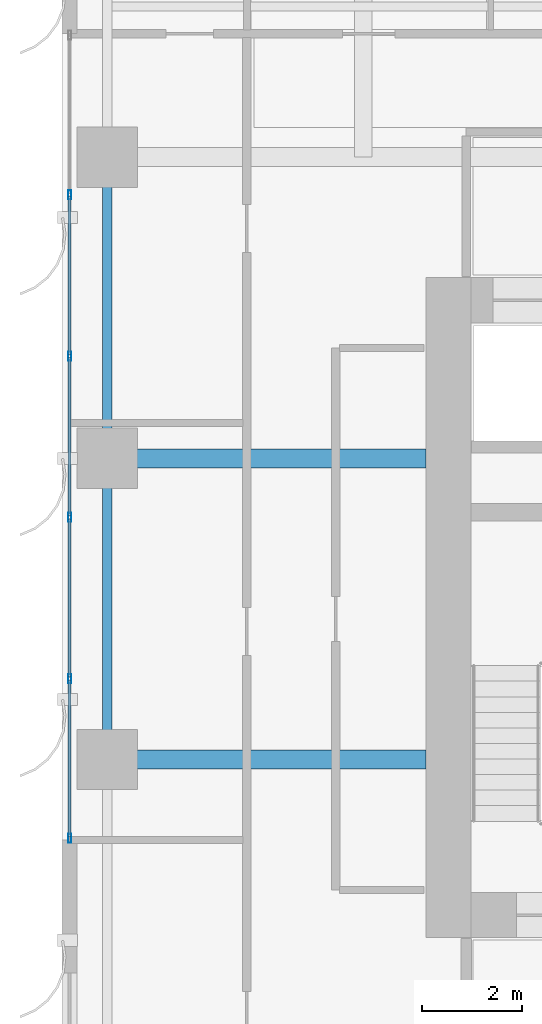
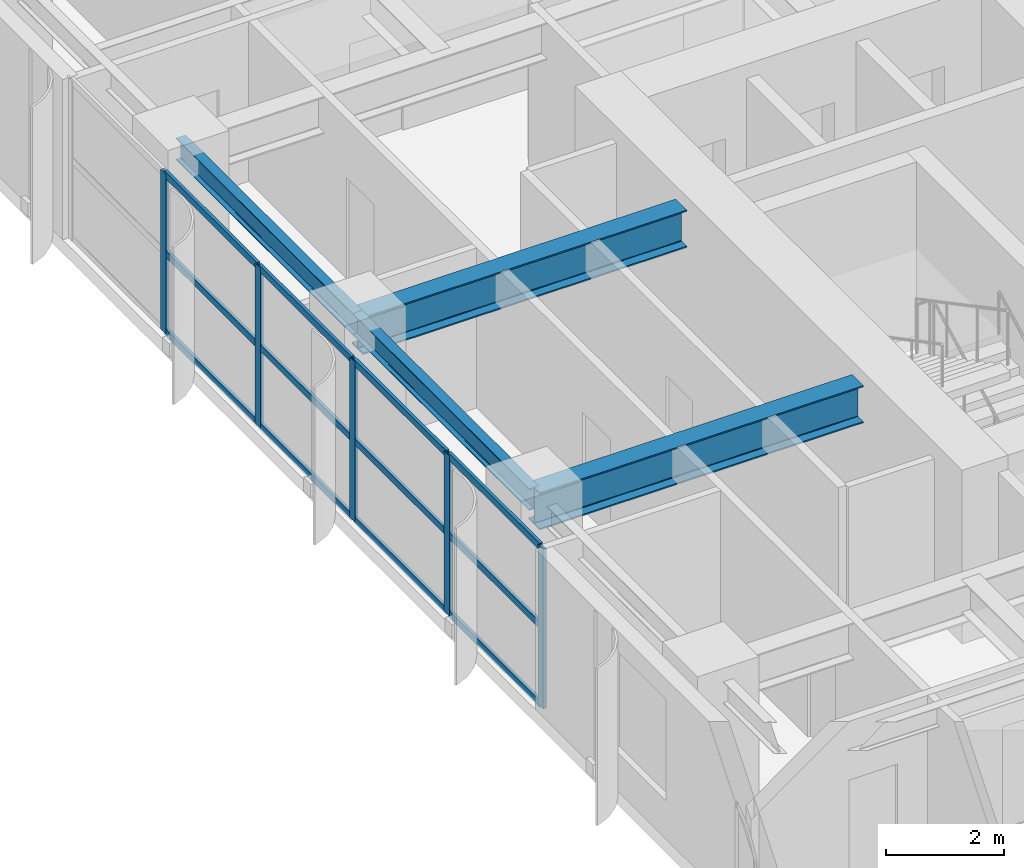
# One storey, part 5 of 23: 17 members, 4 beams, 1 element without a shape of its own.
"""IFC4 building model written with IfcOpenShell, lengths in metres."""

from ifc_helpers import new_model, si_unit, direction, frame, origin, origin_2d, place, context, subcontext, project, spatial, hollow_rectangle, i_section, extrude, source, transform, mapped, material, layer, layer_set, material_profile, profile_set, type_object, element, aggregate, save


model = new_model("IFC4")

# Units and contexts
model_context = context("Model", 3, precision=1e-05, world=origin(), true_north=direction((0.0, 1.0)))
body_context = subcontext(model_context, "Body", "Model", "MODEL_VIEW")
ifc_project = project(units=[si_unit("LENGTHUNIT", "METRE"), si_unit("AREAUNIT", "SQUARE_METRE"), si_unit("VOLUMEUNIT", "CUBIC_METRE"), si_unit("PLANEANGLEUNIT", "RADIAN"), si_unit("MASSUNIT", "GRAM", prefix="KILO")], contexts=[model_context])

# Site, building, storey
site_placement = place(None, origin())
site = spatial("IfcSite", under=ifc_project, at=site_placement, CompositionType="ELEMENT")
building_placement = place(site_placement, origin())
building = spatial("IfcBuilding", under=site, at=building_placement, Name="Khoralis Quay Care Tower", CompositionType="ELEMENT")
storey_placement = place(building_placement, frame((0.0, 0.0, 36.89990234375)))
storey = spatial("IfcBuildingStorey", under=building, at=storey_placement, Name="L09", CompositionType="ELEMENT", Elevation=36.89990234375)

# Beams
ifc_material_1 = material(Name="Steel S355", Category="steel")
ifc_material_profile_1 = material_profile(ifc_material_1, i_section(OverallWidth=0.18994140625, OverallDepth=0.449951171875, WebThickness=0.009521484375, FlangeThickness=0.0146484375, FilletRadius=0.02099609375, at=origin_2d()), Name="Steel S355")
ifc_profile_set_1 = profile_set([ifc_material_profile_1], Name="Steel S355")
beam_type_1 = type_object("IfcBeamType", Name="BM-IPE450", PredefinedType="SPANDREL", material=ifc_profile_set_1)
shared_shape_1 = source(origin(), body_context, "Body", "SweptSolid", [
    extrude(i_section(OverallWidth=0.18994140625, OverallDepth=0.449951171875, WebThickness=0.009521484375, FlangeThickness=0.0146484375, FilletRadius=0.02099609375, at=origin_2d()), origin(), (0.0, 0.0, 1.0), 6.0),
])
for number, where, z_axis, x_axis, name in (
    (1, (0.89990234375, 18.0, 3.09521484375), (0.0, 1.0, 0.0), (-1.0, 0.0, 0.0), "BM-TSP-L09-15"),
    (2, (0.89990234375, 24.0, 3.09521484375), (0.0, 1.0, 0.0), (-1.0, 0.0, 0.0), "BM-TSP-L09-16"),
):
    element("IfcBeam", number, at=place(storey_placement, frame(where, z_axis=z_axis, x_axis=x_axis)), inside=storey, type_object=beam_type_1, Name=name, PredefinedType="SPANDREL", context=body_context, shape_type="MappedRepresentation", body=[
        mapped(shared_shape_1, transform((0.0, 0.0, 0.0), scale=1.0)),
    ])
ifc_material_profile_2 = material_profile(ifc_material_1, i_section(OverallWidth=0.381103515625, OverallDepth=0.77294921875, WebThickness=0.0166015625, FlangeThickness=0.027587890625, FilletRadius=0.02197265625, at=origin_2d()), Name="Steel S355")
ifc_profile_set_2 = profile_set([ifc_material_profile_2], Name="Steel S355")
beam_type_2 = type_object("IfcBeamType", Name="BM-W760X257", PredefinedType="BEAM", material=ifc_profile_set_2)
shared_shape_2 = source(origin(), body_context, "Body", "SweptSolid", [
    extrude(i_section(OverallWidth=0.381103515625, OverallDepth=0.77294921875, WebThickness=0.0166015625, FlangeThickness=0.027587890625, FilletRadius=0.02197265625, at=origin_2d()), origin(), (0.0, 0.0, 1.0), 6.35205078125),
])
for number, where, z_axis, x_axis, name in (
    (3, (0.89990234375, 18.0, 2.93359375), (1.0, 0.0, 0.0), (0.0, 1.0, 0.0), "BM-TGXW-L09-180"),
    (4, (0.89990234375, 24.0, 2.93359375), (1.0, 0.0, 0.0), (0.0, 1.0, 0.0), "BM-TGXW-L09-240"),
):
    element("IfcBeam", number, at=place(storey_placement, frame(where, z_axis=z_axis, x_axis=x_axis)), inside=storey, type_object=beam_type_2, Name=name, PredefinedType="BEAM", context=body_context, shape_type="MappedRepresentation", body=[
        mapped(shared_shape_2, transform((0.0, 0.0, 0.0), scale=1.0)),
    ])

# Curtain wall, members
ifc_material_2 = material(Name="Pale anodised aluminium", Category="aluminium")
ifc_layer = layer(ifc_material_2, 0.179931640625)
ifc_layer_set = layer_set([ifc_layer], Name="Pale anodised aluminium")
curtain_wall_type = type_object("IfcCurtainWallType", Name="CW-SYS-Z1", PredefinedType="NOTDEFINED", material=ifc_layer_set)
curtain_wall_placement = place(storey_placement, origin())
curtain_wall = element("IfcCurtainWall", 5, at=curtain_wall_placement, inside=storey, type_object=curtain_wall_type, Name="L09 Unitised Curtain Wall CW-L09-P1-E15", PredefinedType="NOTDEFINED")
ifc_material_profile_3 = material_profile(ifc_material_2, hollow_rectangle(XDim=0.06494140625, YDim=0.179931640625, WallThickness=0.00390625, at=origin_2d()), Name="Pale anodised aluminium")
ifc_profile_set_3 = profile_set([ifc_material_profile_3], Name="Pale anodised aluminium")
member_type_1 = type_object("IfcMemberType", Name="CW-MUL-180", PredefinedType="MULLION", material=ifc_profile_set_3)
shared_shape_3 = source(origin(), body_context, "Body", "SweptSolid", [
    extrude(hollow_rectangle(XDim=0.06494140625, YDim=0.179931640625, WallThickness=0.00390625, at=origin_2d()), origin(), (0.0, 0.0, 1.0), 3.320068359375),
])
member_1_placement = place(storey_placement, frame((0.14990234375, 29.248046875, 0.0), z_axis=(0.0, 0.0, 1.0), x_axis=(1.0, 0.0, 0.0)))
member_1 = element("IfcMember", 6, at=member_1_placement, type_object=member_type_1, Name="CW1 mullion 2", PredefinedType="MULLION", context=body_context, shape_type="MappedRepresentation", body=[
    mapped(shared_shape_3, transform((0.0, 0.0, 0.0), scale=1.0)),
])
member_2_placement = place(storey_placement, frame((0.14990234375, 26.035888671875, 0.0), z_axis=(0.0, 0.0, 1.0), x_axis=(1.0, 0.0, 0.0)))
member_2 = element("IfcMember", 7, at=member_2_placement, type_object=member_type_1, Name="CW1 mullion 3", PredefinedType="MULLION", context=body_context, shape_type="MappedRepresentation", body=[
    mapped(shared_shape_3, transform((0.0, 0.0, 0.0), scale=1.0)),
])
member_3_placement = place(storey_placement, frame((0.14990234375, 22.823974609375, 0.0), z_axis=(0.0, 0.0, 1.0), x_axis=(1.0, 0.0, 0.0)))
member_3 = element("IfcMember", 8, at=member_3_placement, type_object=member_type_1, Name="CW1 mullion 4", PredefinedType="MULLION", context=body_context, shape_type="MappedRepresentation", body=[
    mapped(shared_shape_3, transform((0.0, 0.0, 0.0), scale=1.0)),
])
member_4_placement = place(storey_placement, frame((0.14990234375, 19.612060546875, 0.0), z_axis=(0.0, 0.0, 1.0), x_axis=(1.0, 0.0, 0.0)))
member_4 = element("IfcMember", 9, at=member_4_placement, type_object=member_type_1, Name="CW1 mullion 5", PredefinedType="MULLION", context=body_context, shape_type="MappedRepresentation", body=[
    mapped(shared_shape_3, transform((0.0, 0.0, 0.0), scale=1.0)),
])
member_5_placement = place(storey_placement, frame((0.14990234375, 16.429931640625, 0.0), z_axis=(0.0, 0.0, 1.0), x_axis=(1.0, 0.0, 0.0)))
member_5 = element("IfcMember", 10, at=member_5_placement, type_object=member_type_1, Name="CW1 mullion 6", PredefinedType="MULLION", context=body_context, shape_type="MappedRepresentation", body=[
    mapped(shared_shape_3, transform((0.0, 0.0, 0.0), scale=1.0)),
])
ifc_material_profile_4 = material_profile(ifc_material_2, hollow_rectangle(XDim=0.06005859375, YDim=0.139892578125, WallThickness=0.00390625, at=origin_2d()), Name="Pale anodised aluminium")
ifc_profile_set_4 = profile_set([ifc_material_profile_4], Name="Pale anodised aluminium")
member_type_2 = type_object("IfcMemberType", Name="CW-TRN-140", PredefinedType="USERDEFINED", material=ifc_profile_set_4)
shared_shape_4 = source(origin(), body_context, "Body", "SweptSolid", [
    extrude(hollow_rectangle(XDim=0.06005859375, YDim=0.139892578125, WallThickness=0.00390625, at=origin_2d()), origin(), (0.0, 0.0, 1.0), 3.1220703125),
])
member_6_placement = place(storey_placement, frame((0.14990234375, 19.58203125, 0.030029296875), z_axis=(0.0, -1.0, 0.0), x_axis=(1.0, 0.0, 0.0)))
member_6 = element("IfcMember", 11, at=member_6_placement, type_object=member_type_2, Name="CW1 transom 5.1", ObjectType="TRANSOM", PredefinedType="USERDEFINED", context=body_context, shape_type="MappedRepresentation", body=[
    mapped(shared_shape_4, transform((0.0, 0.0, 0.0), scale=1.0)),
])
member_7_placement = place(storey_placement, frame((0.14990234375, 19.58203125, 1.66015625), z_axis=(0.0, -1.0, 0.0), x_axis=(1.0, 0.0, 0.0)))
member_7 = element("IfcMember", 12, at=member_7_placement, type_object=member_type_2, Name="CW1 transom 5.2", ObjectType="TRANSOM", PredefinedType="USERDEFINED", context=body_context, shape_type="MappedRepresentation", body=[
    mapped(shared_shape_4, transform((0.0, 0.0, 0.0), scale=1.0)),
])
member_8_placement = place(storey_placement, frame((0.14990234375, 19.58203125, 3.2900390625), z_axis=(0.0, -1.0, 0.0), x_axis=(1.0, 0.0, 0.0)))
member_8 = element("IfcMember", 13, at=member_8_placement, type_object=member_type_2, Name="CW1 transom 5.3", ObjectType="TRANSOM", PredefinedType="USERDEFINED", context=body_context, shape_type="MappedRepresentation", body=[
    mapped(shared_shape_4, transform((0.0, 0.0, 0.0), scale=1.0)),
])
shared_shape_5 = source(origin(), body_context, "Body", "SweptSolid", [
    extrude(hollow_rectangle(XDim=0.06005859375, YDim=0.139892578125, WallThickness=0.00390625, at=origin_2d()), origin(), (0.0, 0.0, 1.0), 3.15185546875),
])
member_9_placement = place(storey_placement, frame((0.14990234375, 22.7939453125, 0.030029296875), z_axis=(0.0, -1.0, 0.0), x_axis=(1.0, 0.0, 0.0)))
member_9 = element("IfcMember", 14, at=member_9_placement, type_object=member_type_2, Name="CW1 transom 4.1", ObjectType="TRANSOM", PredefinedType="USERDEFINED", context=body_context, shape_type="MappedRepresentation", body=[
    mapped(shared_shape_5, transform((0.0, 0.0, 0.0), scale=1.0)),
])
member_10_placement = place(storey_placement, frame((0.14990234375, 22.7939453125, 1.66015625), z_axis=(0.0, -1.0, 0.0), x_axis=(1.0, 0.0, 0.0)))
member_10 = element("IfcMember", 15, at=member_10_placement, type_object=member_type_2, Name="CW1 transom 4.2", ObjectType="TRANSOM", PredefinedType="USERDEFINED", context=body_context, shape_type="MappedRepresentation", body=[
    mapped(shared_shape_5, transform((0.0, 0.0, 0.0), scale=1.0)),
])
member_11_placement = place(storey_placement, frame((0.14990234375, 22.7939453125, 3.2900390625), z_axis=(0.0, -1.0, 0.0), x_axis=(1.0, 0.0, 0.0)))
member_11 = element("IfcMember", 16, at=member_11_placement, type_object=member_type_2, Name="CW1 transom 4.3", ObjectType="TRANSOM", PredefinedType="USERDEFINED", context=body_context, shape_type="MappedRepresentation", body=[
    mapped(shared_shape_5, transform((0.0, 0.0, 0.0), scale=1.0)),
])
shared_shape_6 = source(origin(), body_context, "Body", "SweptSolid", [
    extrude(hollow_rectangle(XDim=0.06005859375, YDim=0.139892578125, WallThickness=0.00390625, at=origin_2d()), origin(), (0.0, 0.0, 1.0), 3.152099609375),
])
member_12_placement = place(storey_placement, frame((0.14990234375, 29.218017578125, 0.030029296875), z_axis=(0.0, -1.0, 0.0), x_axis=(1.0, 0.0, 0.0)))
member_12 = element("IfcMember", 17, at=member_12_placement, type_object=member_type_2, Name="CW1 transom 2.1", ObjectType="TRANSOM", PredefinedType="USERDEFINED", context=body_context, shape_type="MappedRepresentation", body=[
    mapped(shared_shape_6, transform((0.0, 0.0, 0.0), scale=1.0)),
])
member_13_placement = place(storey_placement, frame((0.14990234375, 29.218017578125, 1.66015625), z_axis=(0.0, -1.0, 0.0), x_axis=(1.0, 0.0, 0.0)))
member_13 = element("IfcMember", 18, at=member_13_placement, type_object=member_type_2, Name="CW1 transom 2.2", ObjectType="TRANSOM", PredefinedType="USERDEFINED", context=body_context, shape_type="MappedRepresentation", body=[
    mapped(shared_shape_6, transform((0.0, 0.0, 0.0), scale=1.0)),
])
member_14_placement = place(storey_placement, frame((0.14990234375, 29.218017578125, 3.2900390625), z_axis=(0.0, -1.0, 0.0), x_axis=(1.0, 0.0, 0.0)))
member_14 = element("IfcMember", 19, at=member_14_placement, type_object=member_type_2, Name="CW1 transom 2.3", ObjectType="TRANSOM", PredefinedType="USERDEFINED", context=body_context, shape_type="MappedRepresentation", body=[
    mapped(shared_shape_6, transform((0.0, 0.0, 0.0), scale=1.0)),
])
member_15_placement = place(storey_placement, frame((0.14990234375, 26.006103515625, 0.030029296875), z_axis=(0.0, -1.0, 0.0), x_axis=(1.0, 0.0, 0.0)))
member_15 = element("IfcMember", 20, at=member_15_placement, type_object=member_type_2, Name="CW1 transom 3.1", ObjectType="TRANSOM", PredefinedType="USERDEFINED", context=body_context, shape_type="MappedRepresentation", body=[
    mapped(shared_shape_6, transform((0.0, 0.0, 0.0), scale=1.0)),
])
member_16_placement = place(storey_placement, frame((0.14990234375, 26.006103515625, 1.66015625), z_axis=(0.0, -1.0, 0.0), x_axis=(1.0, 0.0, 0.0)))
member_16 = element("IfcMember", 21, at=member_16_placement, type_object=member_type_2, Name="CW1 transom 3.2", ObjectType="TRANSOM", PredefinedType="USERDEFINED", context=body_context, shape_type="MappedRepresentation", body=[
    mapped(shared_shape_6, transform((0.0, 0.0, 0.0), scale=1.0)),
])
member_17_placement = place(storey_placement, frame((0.14990234375, 26.006103515625, 3.2900390625), z_axis=(0.0, -1.0, 0.0), x_axis=(1.0, 0.0, 0.0)))
member_17 = element("IfcMember", 22, at=member_17_placement, type_object=member_type_2, Name="CW1 transom 3.3", ObjectType="TRANSOM", PredefinedType="USERDEFINED", context=body_context, shape_type="MappedRepresentation", body=[
    mapped(shared_shape_6, transform((0.0, 0.0, 0.0), scale=1.0)),
])
aggregate(curtain_wall, [member_1, member_2, member_3, member_4, member_5, member_12, member_13, member_14, member_15, member_16, member_17, member_9, member_10, member_11, member_6, member_7, member_8])

save(model, "model.ifc")
